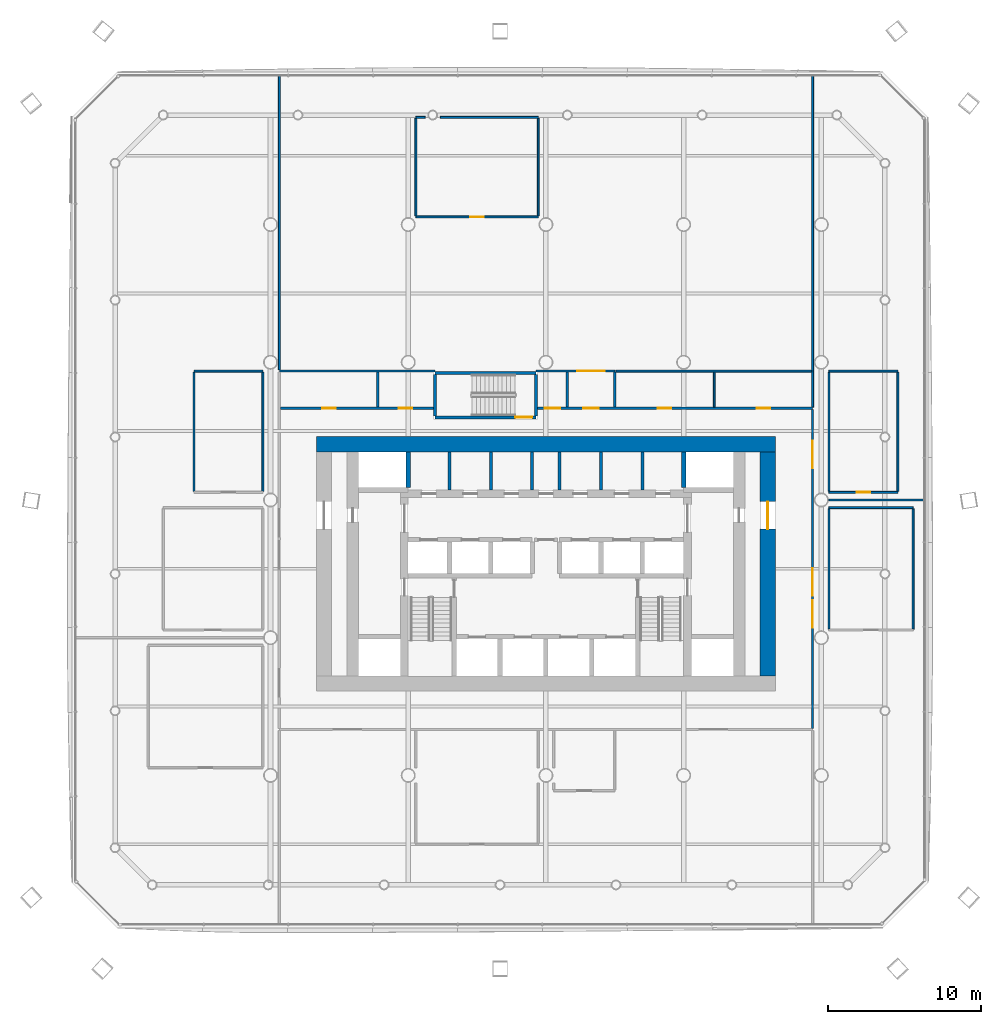
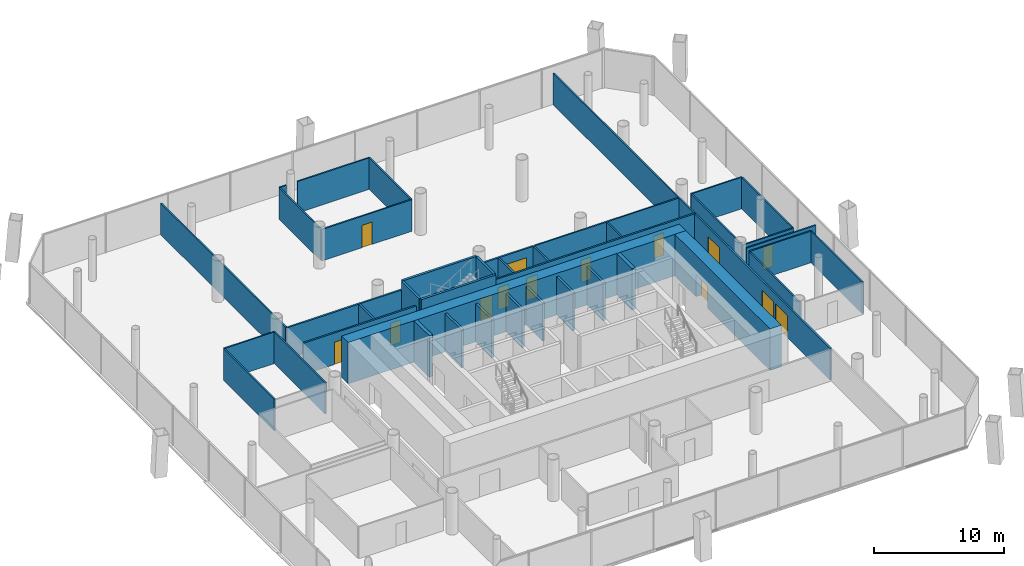
# One storey, part 17 of 23: 42 walls, 14 doors, 14 openings.
"""IFC4 building model written with IfcOpenShell, lengths in metres."""

from ifc_helpers import new_model, si_unit, direction, frame, frame_2d, origin, place, context, subcontext, project, spatial, rectangle, extrude, material, layer, layer_set, type_object, element, fill, save


model = new_model("IFC4")

# Units and contexts
model_context = context("Model", 3, precision=1e-05, world=origin(), true_north=direction((0.0, 1.0)))
body_context = subcontext(model_context, "Body", "Model", "MODEL_VIEW")
ifc_project = project(units=[si_unit("LENGTHUNIT", "METRE"), si_unit("AREAUNIT", "SQUARE_METRE"), si_unit("VOLUMEUNIT", "CUBIC_METRE"), si_unit("PLANEANGLEUNIT", "RADIAN"), si_unit("MASSUNIT", "GRAM", prefix="KILO")], contexts=[model_context])

# Site, building, storey
site_placement = place(None, origin())
site = spatial("IfcSite", under=ifc_project, at=site_placement, CompositionType="ELEMENT")
building_placement = place(site_placement, origin())
building = spatial("IfcBuilding", under=site, at=building_placement, Name="Tskaro Facet Tower", CompositionType="ELEMENT")
storey_placement = place(building_placement, frame((0.0, 0.0, 14.699951171875)))
storey = spatial("IfcBuildingStorey", under=building, at=storey_placement, Name="L02", CompositionType="ELEMENT", Elevation=14.699951171875)

# Walls
ifc_material_1 = material(Name="Concrete C60/75", Category="concrete")
ifc_layer_1 = layer(ifc_material_1, 0.300048828125, Name="Concrete C60/75")
ifc_layer_set_1 = layer_set([ifc_layer_1], Name="Concrete C60/75")
wall_type_1 = type_object("IfcWallType", Name="CORE-SHAFT", PredefinedType="SHEAR", material=ifc_layer_set_1)
for number, where, z_axis, x_axis, name in (
    (1, (-9.0, 0.800048828125, 0.0), (0.0, 0.0, 1.0), (0.0, 1.0, 0.0), "Shaft wall W046"),
    (2, (9.0, 0.800048828125, 0.0), (0.0, 0.0, 1.0), (0.0, 1.0, 0.0), "Shaft wall W077"),
):
    element("IfcWall", number, at=place(storey_placement, frame(where, z_axis=z_axis, x_axis=x_axis)), inside=storey, type_object=wall_type_1, Name=name, PredefinedType="SHEAR", context=body_context, shape_type="SweptSolid", body=[
        extrude(rectangle(XDim=2.349853515625, YDim=0.300048828125, at=frame_2d((1.1748046875, 0.0))), origin(), (0.0, 0.0, 1.0), 3.900146484375),
    ])
ifc_material_2 = material(Name="Concrete C20/25", Category="concrete")
ifc_layer_2 = layer(ifc_material_2, 0.199951171875, Name="Concrete C20/25")
ifc_layer_set_2 = layer_set([ifc_layer_2], Name="Concrete C20/25")
wall_type_2 = type_object("IfcWallType", Name="CORE-WALL", PredefinedType="SOLIDWALL", material=ifc_layer_set_2)
for number, where, z_axis, x_axis, name in (
    (3, (-6.300048828125, 0.64990234375, 0.0), (0.0, 0.0, 1.0), (0.0, 1.0, 0.0), "Core room wall W052"),
    (4, (-3.60009765625, 0.64990234375, 0.0), (0.0, 0.0, 1.0), (0.0, 1.0, 0.0), "Core room wall W055"),
    (5, (-0.89990234375, 0.64990234375, 0.0), (0.0, 0.0, 1.0), (0.0, 1.0, 0.0), "Core room wall W058"),
    (6, (0.89990234375, 0.64990234375, 0.0), (0.0, 0.0, 1.0), (0.0, 1.0, 0.0), "Core room wall W067"),
    (7, (3.60009765625, 0.64990234375, 0.0), (0.0, 0.0, 1.0), (0.0, 1.0, 0.0), "Core room wall W071"),
    (8, (6.300048828125, 0.64990234375, 0.0), (0.0, 0.0, 1.0), (0.0, 1.0, 0.0), "Core room wall W076"),
):
    element("IfcWall", number, at=place(storey_placement, frame(where, z_axis=z_axis, x_axis=x_axis)), inside=storey, type_object=wall_type_2, Name=name, PredefinedType="SOLIDWALL", context=body_context, shape_type="SweptSolid", body=[
        extrude(rectangle(XDim=2.5, YDim=0.199951171875, at=frame_2d((1.25, 0.0))), origin(), (0.0, 0.0, 1.0), 3.60009765625),
    ])
ifc_layer_3 = layer(ifc_material_1, 1.0, Name="Concrete C60/75")
ifc_layer_set_3 = layer_set([ifc_layer_3], Name="Concrete C60/75")
wall_type_3 = type_object("IfcWallType", Name="Core wall 1000", PredefinedType="SHEAR", material=ifc_layer_set_3)
wall_1_placement = place(storey_placement, frame((-15.0, 3.64990234375, 0.0), z_axis=(0.0, 0.0, 1.0), x_axis=(1.0, 0.0, 0.0)))
element("IfcWall", 9, at=wall_1_placement, inside=storey, type_object=wall_type_3, Name="Core wall CW-Z1N", PredefinedType="SHEAR", context=body_context, shape_type="SweptSolid", body=[
    extrude(rectangle(XDim=30.0, YDim=1.0, at=frame_2d((15.0, 0.0))), origin(), (0.0, 0.0, 1.0), 3.900146484375),
])

# Wall, opening, door
wall_2_placement = place(storey_placement, frame((14.5, -11.5, 0.0), z_axis=(0.0, 0.0, 1.0), x_axis=(0.0, 1.0, 0.0)))
wall_2 = element("IfcWall", 10, at=wall_2_placement, inside=storey, type_object=wall_type_3, Name="Core wall CW-Z1E", PredefinedType="SHEAR", context=body_context, shape_type="SweptSolid", body=[
    extrude(rectangle(XDim=14.64990234375, YDim=1.0, at=frame_2d((7.324951171875, 0.0))), origin(), (0.0, 0.0, 1.0), 3.900146484375),
])
opening_1_placement = place(wall_2_placement, frame((9.60009765625, 0.0, 0.0)))
opening_1 = element("IfcOpeningElement", 11, at=opening_1_placement, cuts=wall_2, Name="Opening T0-D20", PredefinedType="OPENING", context=body_context, shape_type="SweptSolid", body=[
    extrude(rectangle(XDim=1.800048828125, YDim=2.10009765625, at=frame_2d((0.89990234375, 1.050048828125))), frame((0.0, 0.510009765625, 0.0), z_axis=(0.0, -1.0, 0.0), x_axis=(1.0, 0.0, 0.0)), (0.0, 0.0, 1.0), 1.02001953125),
])
ifc_material_3 = material(Name="Steel", Category="steel")
door_type_1 = type_object("IfcDoorType", Name="D-CORE-PAIR", OperationType="NOTDEFINED", PredefinedType="DOOR", material=ifc_material_3)
door_1_placement = place(opening_1_placement, origin())
door_1 = element("IfcDoor", 12, at=door_1_placement, inside=storey, type_object=door_type_1, Name="Door T0-D20", OperationType="DOUBLE_DOOR_SINGLE_SWING", OverallHeight=2.10009765625, OverallWidth=1.800048828125, PredefinedType="DOOR", context=body_context, shape_type="SweptSolid", body=[
    extrude(rectangle(XDim=1.800048828125, YDim=2.10009765625, at=frame_2d((0.89990234375, 1.050048828125))), frame((0.0, 0.02490234375, 0.0), z_axis=(0.0, -1.0, 0.0), x_axis=(1.0, 0.0, 0.0)), (0.0, 0.0, 1.0), 0.050048828125),
])
fill(opening_1, door_1)

# Walls
ifc_material_4 = material(Name="Gypsum board on steel studs", Category="steel")
ifc_layer_4 = layer(ifc_material_4, 0.125, Name="Gypsum board on steel studs")
ifc_layer_set_4 = layer_set([ifc_layer_4], Name="Gypsum board on steel studs")
wall_type_4 = type_object("IfcWallType", Name="PART", PredefinedType="PARTITIONING", material=ifc_layer_set_4)
wall_3_placement = place(storey_placement, frame((18.5, -0.5, 0.0), z_axis=(0.0, 0.0, 1.0), x_axis=(1.0, 0.0, 0.0)))
element("IfcWall", 13, at=wall_3_placement, inside=storey, type_object=wall_type_4, Name="Partition W018", PredefinedType="PARTITIONING", context=body_context, shape_type="SweptSolid", body=[
    extrude(rectangle(XDim=5.5, YDim=0.125, at=frame_2d((2.75, 0.0))), origin(), (0.0, 0.0, 1.0), 2.9599609375),
])
wall_4_placement = place(storey_placement, frame((18.5, 0.0, 0.0), z_axis=(0.0, 0.0, 1.0), x_axis=(1.0, 0.0, 0.0)))
element("IfcWall", 14, at=wall_4_placement, inside=storey, type_object=wall_type_4, Name="Partition W019", PredefinedType="PARTITIONING", context=body_context, shape_type="SweptSolid", body=[
    extrude(rectangle(XDim=6.199951171875, YDim=0.125, at=frame_2d((3.10009765625, 0.0))), origin(), (0.0, 0.0, 1.0), 2.9599609375),
])

# Wall, opening, door
wall_5_placement = place(storey_placement, frame((18.5, 0.5, 0.0), z_axis=(0.0, 0.0, 1.0), x_axis=(1.0, 0.0, 0.0)))
wall_5 = element("IfcWall", 15, at=wall_5_placement, inside=storey, type_object=wall_type_4, Name="Partition W021", PredefinedType="PARTITIONING", context=body_context, shape_type="SweptSolid", body=[
    extrude(rectangle(XDim=4.5, YDim=0.125, at=frame_2d((2.25, 0.0))), origin(), (0.0, 0.0, 1.0), 2.9599609375),
])
opening_2_placement = place(wall_5_placement, frame((1.800048828125, 0.0, 0.0)))
opening_2 = element("IfcOpeningElement", 16, at=opening_2_placement, cuts=wall_5, Name="Opening T0-D29", PredefinedType="OPENING", context=body_context, shape_type="SweptSolid", body=[
    extrude(rectangle(XDim=0.89990234375, YDim=2.10009765625, at=frame_2d((0.449951171875, 1.050048828125))), frame((0.0, 0.072509765625, 0.0), z_axis=(0.0, -1.0, 0.0), x_axis=(1.0, 0.0, 0.0)), (0.0, 0.0, 1.0), 0.14501953125),
])
ifc_material_5 = material(Name="Timber", Category="wood")
door_type_2 = type_object("IfcDoorType", Name="D-ROOM", OperationType="NOTDEFINED", PredefinedType="DOOR", material=ifc_material_5)
door_2_placement = place(opening_2_placement, origin())
door_2 = element("IfcDoor", 17, at=door_2_placement, inside=storey, type_object=door_type_2, Name="Door T0-D29", OperationType="SINGLE_SWING_LEFT", OverallHeight=2.10009765625, OverallWidth=0.89990234375, PredefinedType="DOOR", context=body_context, shape_type="SweptSolid", body=[
    extrude(rectangle(XDim=0.89990234375, YDim=2.10009765625, at=frame_2d((0.449951171875, 1.050048828125))), frame((0.0, 0.02490234375, 0.0), z_axis=(0.0, -1.0, 0.0), x_axis=(1.0, 0.0, 0.0)), (0.0, 0.0, 1.0), 0.050048828125),
])
fill(opening_2, door_2)

# Walls
wall_6_placement = place(storey_placement, frame((-23.0, 8.425048828125, 0.0), z_axis=(0.0, 0.0, 1.0), x_axis=(1.0, 0.0, 0.0)))
element("IfcWall", 18, at=wall_6_placement, inside=storey, type_object=wall_type_4, Name="Partition W028", PredefinedType="PARTITIONING", context=body_context, shape_type="SweptSolid", body=[
    extrude(rectangle(XDim=4.5, YDim=0.125, at=frame_2d((2.25, 0.0))), origin(), (0.0, 0.0, 1.0), 2.9599609375),
])
wall_7_placement = place(storey_placement, frame((4.574951171875, 8.425048828125, 0.0), z_axis=(0.0, 0.0, 1.0), x_axis=(1.0, 0.0, 0.0)))
element("IfcWall", 19, at=wall_7_placement, inside=storey, type_object=wall_type_4, Name="Partition W031", PredefinedType="PARTITIONING", context=body_context, shape_type="SweptSolid", body=[
    extrude(rectangle(XDim=12.78759765625, YDim=0.125, at=frame_2d((6.393798828125, 0.0))), origin(), (0.0, 0.0, 1.0), 2.9599609375),
])
wall_8_placement = place(storey_placement, frame((18.5, 8.425048828125, 0.0), z_axis=(0.0, 0.0, 1.0), x_axis=(1.0, 0.0, 0.0)))
element("IfcWall", 20, at=wall_8_placement, inside=storey, type_object=wall_type_4, Name="Partition W032", PredefinedType="PARTITIONING", context=body_context, shape_type="SweptSolid", body=[
    extrude(rectangle(XDim=4.5, YDim=0.125, at=frame_2d((2.25, 0.0))), origin(), (0.0, 0.0, 1.0), 2.9599609375),
])

# Wall, opening, door
wall_9_placement = place(storey_placement, frame((-8.5, 18.5, 0.0), z_axis=(0.0, 0.0, 1.0), x_axis=(1.0, 0.0, 0.0)))
wall_9 = element("IfcWall", 21, at=wall_9_placement, inside=storey, type_object=wall_type_4, Name="Partition W033", PredefinedType="PARTITIONING", context=body_context, shape_type="SweptSolid", body=[
    extrude(rectangle(XDim=8.0, YDim=0.125, at=frame_2d((4.0, 0.0))), origin(), (0.0, 0.0, 1.0), 2.9599609375),
])
opening_3_placement = place(wall_9_placement, frame((3.550048828125, 0.0, 0.0)))
opening_3 = element("IfcOpeningElement", 22, at=opening_3_placement, cuts=wall_9, Name="Opening T0-D40", PredefinedType="OPENING", context=body_context, shape_type="SweptSolid", body=[
    extrude(rectangle(XDim=0.89990234375, YDim=2.10009765625, at=frame_2d((0.449951171875, 1.050048828125))), frame((0.0, 0.072509765625, 0.0), z_axis=(0.0, -1.0, 0.0), x_axis=(1.0, 0.0, 0.0)), (0.0, 0.0, 1.0), 0.14501953125),
])
door_3_placement = place(opening_3_placement, origin())
door_3 = element("IfcDoor", 23, at=door_3_placement, inside=storey, type_object=door_type_2, Name="Door T0-D40", OperationType="SINGLE_SWING_LEFT", OverallHeight=2.10009765625, OverallWidth=0.89990234375, PredefinedType="DOOR", context=body_context, shape_type="SweptSolid", body=[
    extrude(rectangle(XDim=0.89990234375, YDim=2.10009765625, at=frame_2d((0.449951171875, 1.050048828125))), frame((0.0, 0.02490234375, 0.0), z_axis=(0.0, -1.0, 0.0), x_axis=(1.0, 0.0, 0.0)), (0.0, 0.0, 1.0), 0.050048828125),
])
fill(opening_3, door_3)

# Walls
wall_10_placement = place(storey_placement, frame((-8.5, 25.0, 0.0), z_axis=(0.0, 0.0, 1.0), x_axis=(1.0, 0.0, 0.0)))
element("IfcWall", 24, at=wall_10_placement, inside=storey, type_object=wall_type_4, Name="Partition W034", PredefinedType="PARTITIONING", context=body_context, shape_type="SweptSolid", body=[
    extrude(rectangle(XDim=0.597900390625, YDim=0.125, at=frame_2d((0.298828125, 0.0))), origin(), (0.0, 0.0, 1.0), 2.9599609375),
])
wall_11_placement = place(storey_placement, frame((-6.902099609375, 25.0, 0.0), z_axis=(0.0, 0.0, 1.0), x_axis=(1.0, 0.0, 0.0)))
element("IfcWall", 25, at=wall_11_placement, inside=storey, type_object=wall_type_4, Name="Partition W035", PredefinedType="PARTITIONING", context=body_context, shape_type="SweptSolid", body=[
    extrude(rectangle(XDim=6.402099609375, YDim=0.125, at=frame_2d((3.201171875, 0.0))), origin(), (0.0, 0.0, 1.0), 2.9599609375),
])
for number, where, z_axis, x_axis, name in (
    (26, (-23.0, 0.5625, 0.0), (0.0, 0.0, 1.0), (0.0, 1.0, 0.0), "Partition W038"),
    (27, (-18.5, 0.5625, 0.0), (0.0, 0.0, 1.0), (0.0, 1.0, 0.0), "Partition W041"),
):
    element("IfcWall", number, at=place(storey_placement, frame(where, z_axis=z_axis, x_axis=x_axis)), inside=storey, type_object=wall_type_4, Name=name, PredefinedType="PARTITIONING", context=body_context, shape_type="SweptSolid", body=[
        extrude(rectangle(XDim=7.800048828125, YDim=0.125, at=frame_2d((3.89990234375, 0.0))), origin(), (0.0, 0.0, 1.0), 2.9599609375),
    ])
wall_12_placement = place(storey_placement, frame((-17.425048828125, 8.5, 0.0), z_axis=(0.0, 0.0, 1.0), x_axis=(0.0, 1.0, 0.0)))
element("IfcWall", 28, at=wall_12_placement, inside=storey, type_object=wall_type_4, Name="Partition W044", PredefinedType="PARTITIONING", context=body_context, shape_type="SweptSolid", body=[
    extrude(rectangle(XDim=19.199951171875, YDim=0.125, at=frame_2d((9.60009765625, 0.0))), origin(), (0.0, 0.0, 1.0), 2.9599609375),
])
for number, where, z_axis, x_axis, name in (
    (29, (-8.5, 18.5625, 0.0), (0.0, 0.0, 1.0), (0.0, 1.0, 0.0), "Partition W049"),
    (30, (-0.5, 18.5625, 0.0), (0.0, 0.0, 1.0), (0.0, 1.0, 0.0), "Partition W062"),
):
    element("IfcWall", number, at=place(storey_placement, frame(where, z_axis=z_axis, x_axis=x_axis)), inside=storey, type_object=wall_type_4, Name=name, PredefinedType="PARTITIONING", context=body_context, shape_type="SweptSolid", body=[
        extrude(rectangle(XDim=6.375, YDim=0.125, at=frame_2d((3.1875, 0.0))), origin(), (0.0, 0.0, 1.0), 2.9599609375),
    ])
wall_13_placement = place(storey_placement, frame((11.0, 6.074951171875, 0.0), z_axis=(0.0, 0.0, 1.0), x_axis=(0.0, 1.0, 0.0)))
element("IfcWall", 31, at=wall_13_placement, inside=storey, type_object=wall_type_4, Name="Partition W078", PredefinedType="PARTITIONING", context=body_context, shape_type="SweptSolid", body=[
    extrude(rectangle(XDim=2.28759765625, YDim=0.125, at=frame_2d((1.143798828125, 0.0))), origin(), (0.0, 0.0, 1.0), 2.9599609375),
])
wall_14_placement = place(storey_placement, frame((17.425048828125, 6.074951171875, 0.0), z_axis=(0.0, 0.0, 1.0), x_axis=(0.0, 1.0, 0.0)))
element("IfcWall", 32, at=wall_14_placement, inside=storey, type_object=wall_type_4, Name="Partition W081", PredefinedType="PARTITIONING", context=body_context, shape_type="SweptSolid", body=[
    extrude(rectangle(XDim=21.625, YDim=0.125, at=frame_2d((10.8125, 0.0))), origin(), (0.0, 0.0, 1.0), 2.9599609375),
])
wall_15_placement = place(storey_placement, frame((18.5, -8.4375, 0.0), z_axis=(0.0, 0.0, 1.0), x_axis=(0.0, 1.0, 0.0)))
element("IfcWall", 33, at=wall_15_placement, inside=storey, type_object=wall_type_4, Name="Partition W082", PredefinedType="PARTITIONING", context=body_context, shape_type="SweptSolid", body=[
    extrude(rectangle(XDim=7.875, YDim=0.125, at=frame_2d((3.9375, 0.0))), origin(), (0.0, 0.0, 1.0), 2.9599609375),
])
for number, where, z_axis, x_axis, name in (
    (34, (18.5, 0.5625, 0.0), (0.0, 0.0, 1.0), (0.0, 1.0, 0.0), "Partition W083"),
    (35, (23.0, 0.5625, 0.0), (0.0, 0.0, 1.0), (0.0, 1.0, 0.0), "Partition W084"),
):
    element("IfcWall", number, at=place(storey_placement, frame(where, z_axis=z_axis, x_axis=x_axis)), inside=storey, type_object=wall_type_4, Name=name, PredefinedType="PARTITIONING", context=body_context, shape_type="SweptSolid", body=[
        extrude(rectangle(XDim=7.800048828125, YDim=0.125, at=frame_2d((3.89990234375, 0.0))), origin(), (0.0, 0.0, 1.0), 2.9599609375),
    ])
wall_16_placement = place(storey_placement, frame((24.0, -8.4375, 0.0), z_axis=(0.0, 0.0, 1.0), x_axis=(0.0, 1.0, 0.0)))
element("IfcWall", 36, at=wall_16_placement, inside=storey, type_object=wall_type_4, Name="Partition W085", PredefinedType="PARTITIONING", context=body_context, shape_type="SweptSolid", body=[
    extrude(rectangle(XDim=7.875, YDim=0.125, at=frame_2d((3.9375, 0.0))), origin(), (0.0, 0.0, 1.0), 2.9599609375),
])

# Wall, openings, doors
ifc_layer_5 = layer(ifc_material_4, 0.14990234375, Name="Gypsum board on steel studs")
ifc_layer_set_5 = layer_set([ifc_layer_5], Name="Gypsum board on steel studs")
wall_type_5 = type_object("IfcWallType", Name="PART-CORR", PredefinedType="PARTITIONING", material=ifc_layer_set_5)
wall_17_placement = place(storey_placement, frame((-17.35009765625, 6.0, 0.0), z_axis=(0.0, 0.0, 1.0), x_axis=(1.0, 0.0, 0.0)))
wall_17 = element("IfcWall", 37, at=wall_17_placement, inside=storey, type_object=wall_type_5, Name="Corridor wall W025", PredefinedType="PARTITIONING", context=body_context, shape_type="SweptSolid", body=[
    extrude(rectangle(XDim=10.0, YDim=0.14990234375, at=frame_2d((5.0, 0.0))), origin(), (0.0, 0.0, 1.0), 2.9599609375),
])
opening_4_placement = place(wall_17_placement, frame((2.72509765625, 0.0, 0.0)))
opening_4 = element("IfcOpeningElement", 38, at=opening_4_placement, cuts=wall_17, Name="Opening T0-D33", PredefinedType="OPENING", context=body_context, shape_type="SweptSolid", body=[
    extrude(rectangle(XDim=0.89990234375, YDim=2.10009765625, at=frame_2d((0.449951171875, 1.050048828125))), frame((0.0, 0.0849609375, 0.0), z_axis=(0.0, -1.0, 0.0), x_axis=(1.0, 0.0, 0.0)), (0.0, 0.0, 1.0), 0.169921875),
])
opening_5_placement = place(wall_17_placement, frame((7.72509765625, 0.0, 0.0)))
opening_5 = element("IfcOpeningElement", 39, at=opening_5_placement, cuts=wall_17, Name="Opening T0-D34", PredefinedType="OPENING", context=body_context, shape_type="SweptSolid", body=[
    extrude(rectangle(XDim=0.89990234375, YDim=2.10009765625, at=frame_2d((0.449951171875, 1.050048828125))), frame((0.0, 0.0849609375, 0.0), z_axis=(0.0, -1.0, 0.0), x_axis=(1.0, 0.0, 0.0)), (0.0, 0.0, 1.0), 0.169921875),
])
door_4_placement = place(opening_4_placement, origin())
door_4 = element("IfcDoor", 40, at=door_4_placement, inside=storey, type_object=door_type_2, Name="Door T0-D33", OperationType="SINGLE_SWING_LEFT", OverallHeight=2.10009765625, OverallWidth=0.89990234375, PredefinedType="DOOR", context=body_context, shape_type="SweptSolid", body=[
    extrude(rectangle(XDim=0.89990234375, YDim=2.10009765625, at=frame_2d((0.449951171875, 1.050048828125))), frame((0.0, 0.02490234375, 0.0), z_axis=(0.0, -1.0, 0.0), x_axis=(1.0, 0.0, 0.0)), (0.0, 0.0, 1.0), 0.050048828125),
])
fill(opening_4, door_4)
door_5_placement = place(opening_5_placement, origin())
door_5 = element("IfcDoor", 41, at=door_5_placement, inside=storey, type_object=door_type_2, Name="Door T0-D34", OperationType="SINGLE_SWING_LEFT", OverallHeight=2.10009765625, OverallWidth=0.89990234375, PredefinedType="DOOR", context=body_context, shape_type="SweptSolid", body=[
    extrude(rectangle(XDim=0.89990234375, YDim=2.10009765625, at=frame_2d((0.449951171875, 1.050048828125))), frame((0.0, 0.02490234375, 0.0), z_axis=(0.0, -1.0, 0.0), x_axis=(1.0, 0.0, 0.0)), (0.0, 0.0, 1.0), 0.050048828125),
])
fill(opening_5, door_5)

wall_18_placement = place(storey_placement, frame((17.425048828125, 6.0, 0.0), z_axis=(0.0, 0.0, 1.0), x_axis=(-1.0, 0.0, 0.0)))
wall_18 = element("IfcWall", 42, at=wall_18_placement, inside=storey, type_object=wall_type_5, Name="Corridor wall W026", PredefinedType="PARTITIONING", context=body_context, shape_type="SweptSolid", body=[
    extrude(rectangle(XDim=17.97509765625, YDim=0.14990234375, at=frame_2d((8.987548828125, 0.0))), origin(), (0.0, 0.0, 1.0), 2.9599609375),
])
opening_6_placement = place(wall_18_placement, frame((13.97509765625, 0.0, 0.0)))
opening_6 = element("IfcOpeningElement", 43, at=opening_6_placement, cuts=wall_18, Name="Opening T0-D36", PredefinedType="OPENING", context=body_context, shape_type="SweptSolid", body=[
    extrude(rectangle(XDim=1.0, YDim=2.10009765625, at=frame_2d((0.5, 1.050048828125))), frame((0.0, 0.0849609375, 0.0), z_axis=(0.0, -1.0, 0.0), x_axis=(1.0, 0.0, 0.0)), (0.0, 0.0, 1.0), 0.169921875),
])
opening_7_placement = place(wall_18_placement, frame((16.5, 0.0, 0.0)))
opening_7 = element("IfcOpeningElement", 44, at=opening_7_placement, cuts=wall_18, Name="Opening T0-D35", PredefinedType="OPENING", context=body_context, shape_type="SweptSolid", body=[
    extrude(rectangle(XDim=1.0, YDim=2.10009765625, at=frame_2d((0.5, 1.050048828125))), frame((0.0, 0.0849609375, 0.0), z_axis=(0.0, -1.0, 0.0), x_axis=(1.0, 0.0, 0.0)), (0.0, 0.0, 1.0), 0.169921875),
])
opening_8_placement = place(wall_18_placement, frame((9.22509765625, 0.0, 0.0)))
opening_8 = element("IfcOpeningElement", 45, at=opening_8_placement, cuts=wall_18, Name="Opening T0-D37", PredefinedType="OPENING", context=body_context, shape_type="SweptSolid", body=[
    extrude(rectangle(XDim=0.89990234375, YDim=2.10009765625, at=frame_2d((0.449951171875, 1.050048828125))), frame((0.0, 0.0849609375, 0.0), z_axis=(0.0, -1.0, 0.0), x_axis=(1.0, 0.0, 0.0)), (0.0, 0.0, 1.0), 0.169921875),
])
opening_9_placement = place(wall_18_placement, frame((2.762451171875, 0.0, 0.0)))
opening_9 = element("IfcOpeningElement", 46, at=opening_9_placement, cuts=wall_18, Name="Opening T0-D38", PredefinedType="OPENING", context=body_context, shape_type="SweptSolid", body=[
    extrude(rectangle(XDim=0.89990234375, YDim=2.10009765625, at=frame_2d((0.449951171875, 1.050048828125))), frame((0.0, 0.0849609375, 0.0), z_axis=(0.0, -1.0, 0.0), x_axis=(1.0, 0.0, 0.0)), (0.0, 0.0, 1.0), 0.169921875),
])
door_type_3 = type_object("IfcDoorType", Name="D-ENTRY", OperationType="NOTDEFINED", PredefinedType="DOOR", material=ifc_material_5)
door_6_placement = place(opening_6_placement, origin())
door_6 = element("IfcDoor", 47, at=door_6_placement, inside=storey, type_object=door_type_3, Name="Door T0-D36", OperationType="SINGLE_SWING_RIGHT", OverallHeight=2.10009765625, OverallWidth=1.0, PredefinedType="DOOR", context=body_context, shape_type="SweptSolid", body=[
    extrude(rectangle(XDim=1.0, YDim=2.10009765625, at=frame_2d((0.5, 1.050048828125))), frame((0.0, 0.02490234375, 0.0), z_axis=(0.0, -1.0, 0.0), x_axis=(1.0, 0.0, 0.0)), (0.0, 0.0, 1.0), 0.050048828125),
])
fill(opening_6, door_6)
door_7_placement = place(opening_8_placement, origin())
door_7 = element("IfcDoor", 48, at=door_7_placement, inside=storey, type_object=door_type_2, Name="Door T0-D37", OperationType="SINGLE_SWING_RIGHT", OverallHeight=2.10009765625, OverallWidth=0.89990234375, PredefinedType="DOOR", context=body_context, shape_type="SweptSolid", body=[
    extrude(rectangle(XDim=0.89990234375, YDim=2.10009765625, at=frame_2d((0.449951171875, 1.050048828125))), frame((0.0, 0.02490234375, 0.0), z_axis=(0.0, -1.0, 0.0), x_axis=(1.0, 0.0, 0.0)), (0.0, 0.0, 1.0), 0.050048828125),
])
fill(opening_8, door_7)
door_8_placement = place(opening_9_placement, origin())
door_8 = element("IfcDoor", 49, at=door_8_placement, inside=storey, type_object=door_type_2, Name="Door T0-D38", OperationType="SINGLE_SWING_RIGHT", OverallHeight=2.10009765625, OverallWidth=0.89990234375, PredefinedType="DOOR", context=body_context, shape_type="SweptSolid", body=[
    extrude(rectangle(XDim=0.89990234375, YDim=2.10009765625, at=frame_2d((0.449951171875, 1.050048828125))), frame((0.0, 0.02490234375, 0.0), z_axis=(0.0, -1.0, 0.0), x_axis=(1.0, 0.0, 0.0)), (0.0, 0.0, 1.0), 0.050048828125),
])
fill(opening_9, door_8)
door_type_4 = type_object("IfcDoorType", Name="D-ROOM-WIDE", OperationType="NOTDEFINED", PredefinedType="DOOR", material=ifc_material_5)
door_9_placement = place(opening_7_placement, origin())
door_9 = element("IfcDoor", 50, at=door_9_placement, inside=storey, type_object=door_type_4, Name="Door T0-D35", OperationType="SINGLE_SWING_RIGHT", OverallHeight=2.10009765625, OverallWidth=1.0, PredefinedType="DOOR", context=body_context, shape_type="SweptSolid", body=[
    extrude(rectangle(XDim=1.0, YDim=2.10009765625, at=frame_2d((0.5, 1.050048828125))), frame((0.0, 0.02490234375, 0.0), z_axis=(0.0, -1.0, 0.0), x_axis=(1.0, 0.0, 0.0)), (0.0, 0.0, 1.0), 0.050048828125),
])
fill(opening_7, door_9)

# Wall
wall_19_placement = place(storey_placement, frame((-17.425048828125, 8.425048828125, 0.0), z_axis=(0.0, 0.0, 1.0), x_axis=(1.0, 0.0, 0.0)))
element("IfcWall", 51, at=wall_19_placement, inside=storey, type_object=wall_type_5, Name="Corridor wall W029", PredefinedType="PARTITIONING", context=body_context, shape_type="SweptSolid", body=[
    extrude(rectangle(XDim=10.175048828125, YDim=0.14990234375, at=frame_2d((5.08740234375, 0.0))), origin(), (0.0, 0.0, 1.0), 2.9599609375),
])

# Wall, opening, door
wall_20_placement = place(storey_placement, frame((-0.64990234375, 8.425048828125, 0.0), z_axis=(0.0, 0.0, 1.0), x_axis=(1.0, 0.0, 0.0)))
wall_20 = element("IfcWall", 52, at=wall_20_placement, inside=storey, type_object=wall_type_5, Name="Corridor wall W030", PredefinedType="PARTITIONING", context=body_context, shape_type="SweptSolid", body=[
    extrude(rectangle(XDim=5.14990234375, YDim=0.14990234375, at=frame_2d((2.574951171875, 0.0))), origin(), (0.0, 0.0, 1.0), 2.9599609375),
])
opening_10_placement = place(wall_20_placement, frame((2.699951171875, 0.0, 0.0)))
opening_10 = element("IfcOpeningElement", 53, at=opening_10_placement, cuts=wall_20, Name="Opening T0-D39", PredefinedType="OPENING", context=body_context, shape_type="SweptSolid", body=[
    extrude(rectangle(XDim=1.800048828125, YDim=2.10009765625, at=frame_2d((0.89990234375, 1.050048828125))), frame((0.0, 0.0849609375, 0.0), z_axis=(0.0, -1.0, 0.0), x_axis=(1.0, 0.0, 0.0)), (0.0, 0.0, 1.0), 0.169921875),
])
ifc_material_6 = material(Name="Glass", Category="glass")
door_type_5 = type_object("IfcDoorType", Name="D-ENTRY-PAIR", OperationType="NOTDEFINED", PredefinedType="DOOR", material=ifc_material_6)
door_10_placement = place(opening_10_placement, origin())
door_10 = element("IfcDoor", 54, at=door_10_placement, inside=storey, type_object=door_type_5, Name="Door T0-D39", OperationType="DOUBLE_DOOR_SINGLE_SWING", OverallHeight=2.10009765625, OverallWidth=1.800048828125, PredefinedType="DOOR", context=body_context, shape_type="SweptSolid", body=[
    extrude(rectangle(XDim=1.800048828125, YDim=2.10009765625, at=frame_2d((0.89990234375, 1.050048828125))), frame((0.0, 0.02490234375, 0.0), z_axis=(0.0, -1.0, 0.0), x_axis=(1.0, 0.0, 0.0)), (0.0, 0.0, 1.0), 0.050048828125),
])
fill(opening_10, door_10)

# Walls
for number, where, z_axis, x_axis, name in (
    (55, (-11.0, 6.074951171875, 0.0), (0.0, 0.0, 1.0), (0.0, 1.0, 0.0), "Corridor wall W045"),
    (56, (1.39990234375, 6.074951171875, 0.0), (0.0, 0.0, 1.0), (0.0, 1.0, 0.0), "Corridor wall W068"),
    (57, (4.5, 6.074951171875, 0.0), (0.0, 0.0, 1.0), (0.0, 1.0, 0.0), "Corridor wall W073"),
):
    element("IfcWall", number, at=place(storey_placement, frame(where, z_axis=z_axis, x_axis=x_axis)), inside=storey, type_object=wall_type_5, Name=name, PredefinedType="PARTITIONING", context=body_context, shape_type="SweptSolid", body=[
        extrude(rectangle(XDim=2.275146484375, YDim=0.14990234375, at=frame_2d((1.1376953125, 0.0))), origin(), (0.0, 0.0, 1.0), 2.9599609375),
    ])

# Wall, openings, doors
wall_21_placement = place(storey_placement, frame((17.425048828125, -14.925048828125, 0.0), z_axis=(0.0, 0.0, 1.0), x_axis=(0.0, 1.0, 0.0)))
wall_21 = element("IfcWall", 58, at=wall_21_placement, inside=storey, type_object=wall_type_5, Name="Corridor wall W080", PredefinedType="PARTITIONING", context=body_context, shape_type="SweptSolid", body=[
    extrude(rectangle(XDim=20.85009765625, YDim=0.14990234375, at=frame_2d((10.425048828125, 0.0))), origin(), (0.0, 0.0, 1.0), 2.9599609375),
])
opening_11_placement = place(wall_21_placement, frame((6.5625, 0.0, 0.0)))
opening_11 = element("IfcOpeningElement", 59, at=opening_11_placement, cuts=wall_21, Name="Opening T0-D11", PredefinedType="OPENING", context=body_context, shape_type="SweptSolid", body=[
    extrude(rectangle(XDim=1.800048828125, YDim=2.10009765625, at=frame_2d((0.89990234375, 1.050048828125))), frame((0.0, 0.0849609375, 0.0), z_axis=(0.0, -1.0, 0.0), x_axis=(1.0, 0.0, 0.0)), (0.0, 0.0, 1.0), 0.169921875),
])
opening_12_placement = place(wall_21_placement, frame((8.66259765625, 0.0, 0.0)))
opening_12 = element("IfcOpeningElement", 60, at=opening_12_placement, cuts=wall_21, Name="Opening T0-D12", PredefinedType="OPENING", context=body_context, shape_type="SweptSolid", body=[
    extrude(rectangle(XDim=1.800048828125, YDim=2.10009765625, at=frame_2d((0.89990234375, 1.050048828125))), frame((0.0, 0.0849609375, 0.0), z_axis=(0.0, -1.0, 0.0), x_axis=(1.0, 0.0, 0.0)), (0.0, 0.0, 1.0), 0.169921875),
])
opening_13_placement = place(wall_21_placement, frame((16.987548828125, 0.0, 0.0)))
opening_13 = element("IfcOpeningElement", 61, at=opening_13_placement, cuts=wall_21, Name="Opening T0-D32", PredefinedType="OPENING", context=body_context, shape_type="SweptSolid", body=[
    extrude(rectangle(XDim=1.800048828125, YDim=2.10009765625, at=frame_2d((0.89990234375, 1.050048828125))), frame((0.0, 0.0849609375, 0.0), z_axis=(0.0, -1.0, 0.0), x_axis=(1.0, 0.0, 0.0)), (0.0, 0.0, 1.0), 0.169921875),
])
door_11_placement = place(opening_11_placement, origin())
door_11 = element("IfcDoor", 62, at=door_11_placement, inside=storey, type_object=door_type_5, Name="Door T0-D11", OperationType="DOUBLE_DOOR_SINGLE_SWING", OverallHeight=2.10009765625, OverallWidth=1.800048828125, PredefinedType="DOOR", context=body_context, shape_type="SweptSolid", body=[
    extrude(rectangle(XDim=1.800048828125, YDim=2.10009765625, at=frame_2d((0.89990234375, 1.050048828125))), frame((0.0, 0.02490234375, 0.0), z_axis=(0.0, -1.0, 0.0), x_axis=(1.0, 0.0, 0.0)), (0.0, 0.0, 1.0), 0.050048828125),
])
fill(opening_11, door_11)
door_12_placement = place(opening_12_placement, origin())
door_12 = element("IfcDoor", 63, at=door_12_placement, inside=storey, type_object=door_type_5, Name="Door T0-D12", OperationType="DOUBLE_DOOR_SINGLE_SWING", OverallHeight=2.10009765625, OverallWidth=1.800048828125, PredefinedType="DOOR", context=body_context, shape_type="SweptSolid", body=[
    extrude(rectangle(XDim=1.800048828125, YDim=2.10009765625, at=frame_2d((0.89990234375, 1.050048828125))), frame((0.0, 0.02490234375, 0.0), z_axis=(0.0, -1.0, 0.0), x_axis=(1.0, 0.0, 0.0)), (0.0, 0.0, 1.0), 0.050048828125),
])
fill(opening_12, door_12)
door_13_placement = place(opening_13_placement, origin())
door_13 = element("IfcDoor", 64, at=door_13_placement, inside=storey, type_object=door_type_5, Name="Door T0-D32", OperationType="DOUBLE_DOOR_SINGLE_SWING", OverallHeight=2.10009765625, OverallWidth=1.800048828125, PredefinedType="DOOR", context=body_context, shape_type="SweptSolid", body=[
    extrude(rectangle(XDim=1.800048828125, YDim=2.10009765625, at=frame_2d((0.89990234375, 1.050048828125))), frame((0.0, 0.02490234375, 0.0), z_axis=(0.0, -1.0, 0.0), x_axis=(1.0, 0.0, 0.0)), (0.0, 0.0, 1.0), 0.050048828125),
])
fill(opening_13, door_13)

# Wall, opening, door
ifc_layer_6 = layer(ifc_material_1, 0.199951171875, Name="Concrete C60/75")
ifc_layer_set_6 = layer_set([ifc_layer_6], Name="Concrete C60/75")
wall_type_6 = type_object("IfcWallType", Name="STAIR-WALL", PredefinedType="SHEAR", material=ifc_layer_set_6)
wall_22_placement = place(storey_placement, frame((-7.25, 5.39990234375, 0.0), z_axis=(0.0, 0.0, 1.0), x_axis=(1.0, 0.0, 0.0)))
wall_22 = element("IfcWall", 65, at=wall_22_placement, inside=storey, type_object=wall_type_6, Name="Stair wall W024", PredefinedType="SHEAR", context=body_context, shape_type="SweptSolid", body=[
    extrude(rectangle(XDim=6.60009765625, YDim=0.199951171875, at=frame_2d((3.300048828125, 0.0))), origin(), (0.0, 0.0, 1.0), 3.900146484375),
])
opening_14_placement = place(wall_22_placement, frame((5.25, 0.0, 0.0)))
opening_14 = element("IfcOpeningElement", 66, at=opening_14_placement, cuts=wall_22, Name="Opening ST-3-D1", PredefinedType="OPENING", context=body_context, shape_type="SweptSolid", body=[
    extrude(rectangle(XDim=1.10009765625, YDim=2.10009765625, at=frame_2d((0.550048828125, 1.050048828125))), frame((0.0, 0.10986328125, 0.0), z_axis=(0.0, -1.0, 0.0), x_axis=(1.0, 0.0, 0.0)), (0.0, 0.0, 1.0), 0.219970703125),
])
door_type_6 = type_object("IfcDoorType", Name="D-STAIR", OperationType="NOTDEFINED", PredefinedType="DOOR", material=ifc_material_3)
door_14_placement = place(opening_14_placement, origin())
door_14 = element("IfcDoor", 67, at=door_14_placement, inside=storey, type_object=door_type_6, Name="Stair door 3", OperationType="SINGLE_SWING_LEFT", OverallHeight=2.10009765625, OverallWidth=1.10009765625, PredefinedType="DOOR", context=body_context, shape_type="SweptSolid", body=[
    extrude(rectangle(XDim=1.10009765625, YDim=2.10009765625, at=frame_2d((0.550048828125, 1.050048828125))), frame((0.0, 0.02490234375, 0.0), z_axis=(0.0, -1.0, 0.0), x_axis=(1.0, 0.0, 0.0)), (0.0, 0.0, 1.0), 0.050048828125),
])
fill(opening_14, door_14)

# Walls
wall_23_placement = place(storey_placement, frame((-7.25, 8.300048828125, 0.0), z_axis=(0.0, 0.0, 1.0), x_axis=(1.0, 0.0, 0.0)))
element("IfcWall", 68, at=wall_23_placement, inside=storey, type_object=wall_type_6, Name="Stair wall W027", PredefinedType="SHEAR", context=body_context, shape_type="SweptSolid", body=[
    extrude(rectangle(XDim=6.60009765625, YDim=0.199951171875, at=frame_2d((3.300048828125, 0.0))), origin(), (0.0, 0.0, 1.0), 3.900146484375),
])
for number, where, z_axis, x_axis, name in (
    (69, (-7.25, 5.5, 0.0), (0.0, 0.0, 1.0), (0.0, 1.0, 0.0), "Stair wall W050"),
    (70, (-0.64990234375, 5.5, 0.0), (0.0, 0.0, 1.0), (0.0, 1.0, 0.0), "Stair wall W059"),
):
    element("IfcWall", number, at=place(storey_placement, frame(where, z_axis=z_axis, x_axis=x_axis)), inside=storey, type_object=wall_type_6, Name=name, PredefinedType="SHEAR", context=body_context, shape_type="SweptSolid", body=[
        extrude(rectangle(XDim=2.699951171875, YDim=0.199951171875, at=frame_2d((1.35009765625, 0.0))), origin(), (0.0, 0.0, 1.0), 3.900146484375),
    ])

save(model, "model.ifc")
